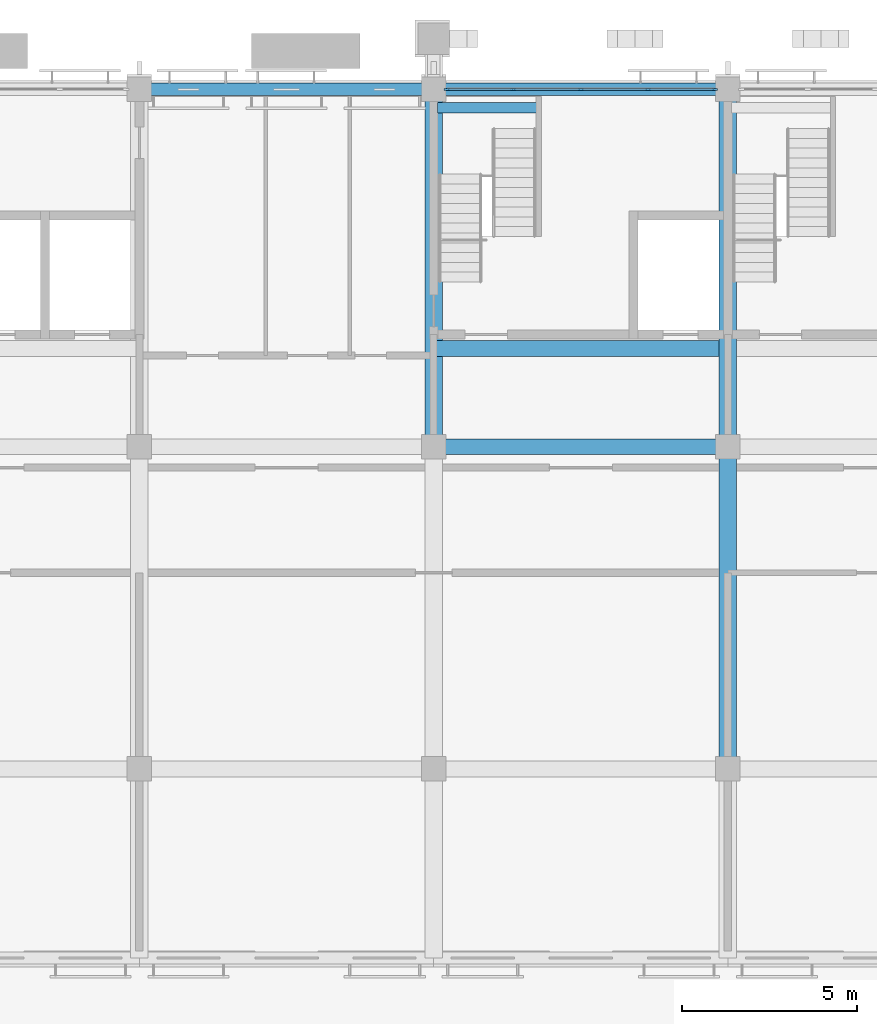
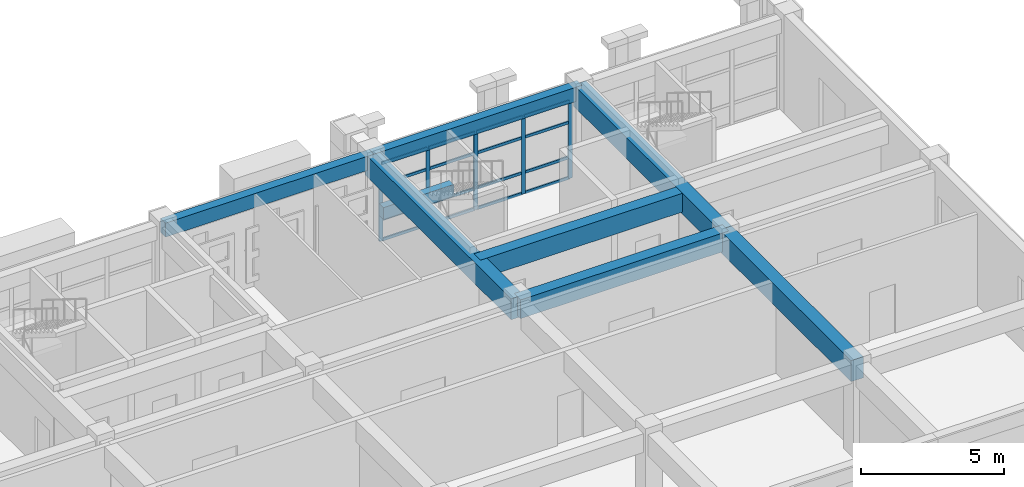
# One storey, part 29 of 99: 21 members, 8 beams, 1 element without a shape of its own.
"""IFC4 building model written with IfcOpenShell, lengths in metres."""

from ifc_helpers import new_model, si_unit, direction, frame, origin, origin_2d, place, context, subcontext, project, spatial, rectangle, extrude, material, layer, layer_set, material_profile, profile_set, type_object, element, aggregate, save


model = new_model("IFC4")

# Units and contexts
model_context = context("Model", 3, precision=1e-05, world=origin(), true_north=direction((0.0, 1.0)))
body_context = subcontext(model_context, "Body", "Model", "MODEL_VIEW")
ifc_project = project(units=[si_unit("LENGTHUNIT", "METRE"), si_unit("AREAUNIT", "SQUARE_METRE"), si_unit("VOLUMEUNIT", "CUBIC_METRE"), si_unit("PLANEANGLEUNIT", "RADIAN"), si_unit("MASSUNIT", "GRAM", prefix="KILO")], contexts=[model_context])

# Site, building, storey
site_placement = place(None, origin())
site = spatial("IfcSite", under=ifc_project, at=site_placement, CompositionType="ELEMENT")
building_placement = place(site_placement, origin())
building = spatial("IfcBuilding", under=site, at=building_placement, Name="Wasatch Bagh Community Centre", CompositionType="ELEMENT")
storey_placement = place(building_placement, frame((0.0, 0.0, 4.199951171875)))
storey = spatial("IfcBuildingStorey", under=building, at=storey_placement, Name="L01", CompositionType="ELEMENT", Elevation=4.199951171875)

# Beams
ifc_material_1 = material(Name="Concrete C35", Category="concrete")
ifc_material_profile_1 = material_profile(ifc_material_1, rectangle(XDim=0.300048828125, YDim=0.5, at=origin_2d()), Name="RC 300x500")
ifc_profile_set_1 = profile_set([ifc_material_profile_1], Name="Concrete C35")
beam_type_1 = type_object("IfcBeamType", Name="LW RC 300x500", PredefinedType="BEAM", material=ifc_profile_set_1)
beam_1_placement = place(storey_placement, frame((122.905029296875, 97.280029296875, 1.650146484375), z_axis=(1.0, 0.0, 0.0), x_axis=(0.0, 1.0, 0.0)))
element("IfcBeam", 1, at=beam_1_placement, inside=storey, type_object=beam_type_1, Name="LW.lbeam.L01.C3", PredefinedType="BEAM", context=body_context, shape_type="SweptSolid", body=[
    extrude(rectangle(XDim=0.300048828125, YDim=0.5, at=origin_2d()), origin(), (0.0, 0.0, 1.0), 2.840087890625),
])
ifc_material_profile_2 = material_profile(ifc_material_1, rectangle(XDim=0.35009765625, YDim=0.60009765625, at=origin_2d()), Name="RC 350x600")
ifc_profile_set_2 = profile_set([ifc_material_profile_2], Name="Concrete C35")
beam_type_2 = type_object("IfcBeamType", Name="LW RC 350x600", PredefinedType="BEAM", material=ifc_profile_set_2)
beam_2_placement = place(storey_placement, frame((114.39990234375, 97.800048828125, 3.6201171875), z_axis=(1.0, 0.0, 0.0), x_axis=(0.0, 1.0, 0.0)))
element("IfcBeam", 2, at=beam_2_placement, inside=storey, type_object=beam_type_2, Name="W7-W8N", PredefinedType="BEAM", context=body_context, shape_type="SweptSolid", body=[
    extrude(rectangle(XDim=0.35009765625, YDim=0.60009765625, at=origin_2d()), origin(), (0.0, 0.0, 1.0), 8.400146484375),
])
beam_3_placement = place(storey_placement, frame((122.800048828125, 97.800048828125, 3.6201171875), z_axis=(1.0, 0.0, 0.0), x_axis=(0.0, 1.0, 0.0)))
element("IfcBeam", 3, at=beam_3_placement, inside=storey, type_object=beam_type_2, Name="W8-W9N", PredefinedType="BEAM", context=body_context, shape_type="SweptSolid", body=[
    extrude(rectangle(XDim=0.35009765625, YDim=0.60009765625, at=origin_2d()), origin(), (0.0, 0.0, 1.0), 8.39990234375),
])
ifc_material_profile_3 = material_profile(ifc_material_1, rectangle(XDim=0.449951171875, YDim=0.800048828125, at=origin_2d()), Name="RC 450x800")
ifc_profile_set_3 = profile_set([ifc_material_profile_3], Name="Concrete C35")
beam_type_3 = type_object("IfcBeamType", Name="LW RC 450x800", PredefinedType="BEAM", material=ifc_profile_set_3)
beam_4_placement = place(storey_placement, frame((122.800048828125, 87.60009765625, 3.52001953125), z_axis=(1.0, 0.0, 0.0), x_axis=(0.0, 1.0, 0.0)))
element("IfcBeam", 4, at=beam_4_placement, inside=storey, type_object=beam_type_3, Name="W8-W9M", PredefinedType="BEAM", context=body_context, shape_type="SweptSolid", body=[
    extrude(rectangle(XDim=0.449951171875, YDim=0.800048828125, at=origin_2d()), origin(), (0.0, 0.0, 1.0), 8.39990234375),
])
beam_5_placement = place(storey_placement, frame((122.800048828125, 90.39990234375, 3.52001953125), z_axis=(1.0, 0.0, 0.0), x_axis=(0.0, 1.0, 0.0)))
element("IfcBeam", 5, at=beam_5_placement, inside=storey, type_object=beam_type_3, Name="C3-transfer", PredefinedType="BEAM", context=body_context, shape_type="SweptSolid", body=[
    extrude(rectangle(XDim=0.449951171875, YDim=0.800048828125, at=origin_2d()), origin(), (0.0, 0.0, 1.0), 8.14990234375),
])
ifc_material_profile_4 = material_profile(ifc_material_1, rectangle(XDim=0.5, YDim=0.89990234375, at=origin_2d()), Name="RC 500x900")
ifc_profile_set_4 = profile_set([ifc_material_profile_4], Name="Concrete C35")
beam_type_4 = type_object("IfcBeamType", Name="LW RC 500x900", PredefinedType="BEAM", material=ifc_profile_set_4)
beam_6_placement = place(storey_placement, frame((122.800048828125, 87.60009765625, 3.469970703125), z_axis=(0.0, 1.0, 0.0), x_axis=(-1.0, 0.0, 0.0)))
element("IfcBeam", 6, at=beam_6_placement, inside=storey, type_object=beam_type_4, Name="W8M-N", PredefinedType="BEAM", context=body_context, shape_type="SweptSolid", body=[
    extrude(rectangle(XDim=0.5, YDim=0.89990234375, at=origin_2d()), origin(), (0.0, 0.0, 1.0), 10.199951171875),
])
beam_7_placement = place(storey_placement, frame((131.199951171875, 78.39990234375, 3.469970703125), z_axis=(0.0, 1.0, 0.0), x_axis=(-1.0, 0.0, 0.0)))
element("IfcBeam", 7, at=beam_7_placement, inside=storey, type_object=beam_type_4, Name="W9S-M", PredefinedType="BEAM", context=body_context, shape_type="SweptSolid", body=[
    extrude(rectangle(XDim=0.5, YDim=0.89990234375, at=origin_2d()), origin(), (0.0, 0.0, 1.0), 9.2001953125),
])
beam_8_placement = place(storey_placement, frame((131.199951171875, 87.60009765625, 3.469970703125), z_axis=(0.0, 1.0, 0.0), x_axis=(-1.0, 0.0, 0.0)))
element("IfcBeam", 8, at=beam_8_placement, inside=storey, type_object=beam_type_4, Name="W9M-N", PredefinedType="BEAM", context=body_context, shape_type="SweptSolid", body=[
    extrude(rectangle(XDim=0.5, YDim=0.89990234375, at=origin_2d()), origin(), (0.0, 0.0, 1.0), 10.199951171875),
])

# Curtain wall, members
ifc_material_2 = material(Name="Aluminium curtain wall frame with low-iron glass", Category="aluminium")
ifc_layer = layer(ifc_material_2, 0.10009765625)
ifc_layer_set = layer_set([ifc_layer], Name="Aluminium curtain wall frame with low-iron glass")
curtain_wall_type = type_object("IfcCurtainWallType", Name="LW curtain wall 100", PredefinedType="NOTDEFINED", material=ifc_layer_set)
curtain_wall_placement = place(storey_placement, origin())
curtain_wall = element("IfcCurtainWall", 9, at=curtain_wall_placement, inside=storey, type_object=curtain_wall_type, Name="Curtain wall 01.06", PredefinedType="NOTDEFINED")
ifc_material_3 = material(Name="Aluminium extrusion", Category="aluminium")
ifc_material_profile_5 = material_profile(ifc_material_3, rectangle(XDim=0.06005859375, YDim=0.159912109375, at=origin_2d()), Name="AL 60x160")
ifc_profile_set_5 = profile_set([ifc_material_profile_5], Name="Aluminium extrusion")
member_type_1 = type_object("IfcMemberType", Name="LW curtain wall mullion 60x160", PredefinedType="MULLION", material=ifc_profile_set_5)
member_1_placement = place(storey_placement, frame((123.179931640625, 97.800048828125, 0.0), z_axis=(0.0, 0.0, 1.0), x_axis=(0.0, 1.0, 0.0)))
member_1 = element("IfcMember", 10, at=member_1_placement, type_object=member_type_1, Name="LW-CW1 mullion 1", PredefinedType="MULLION", context=body_context, shape_type="SweptSolid", body=[
    extrude(rectangle(XDim=0.06005859375, YDim=0.159912109375, at=origin_2d()), origin(), (0.0, 0.0, 1.0), 3.320068359375),
])
member_2_placement = place(storey_placement, frame((125.074951171875, 97.800048828125, 0.0), z_axis=(0.0, 0.0, 1.0), x_axis=(0.0, 1.0, 0.0)))
member_2 = element("IfcMember", 11, at=member_2_placement, type_object=member_type_1, Name="LW-CW1 mullion 2", PredefinedType="MULLION", context=body_context, shape_type="SweptSolid", body=[
    extrude(rectangle(XDim=0.06005859375, YDim=0.159912109375, at=origin_2d()), origin(), (0.0, 0.0, 1.0), 3.320068359375),
])
member_3_placement = place(storey_placement, frame((127.0, 97.800048828125, 0.0), z_axis=(0.0, 0.0, 1.0), x_axis=(0.0, 1.0, 0.0)))
member_3 = element("IfcMember", 12, at=member_3_placement, type_object=member_type_1, Name="LW-CW1 mullion 3", PredefinedType="MULLION", context=body_context, shape_type="SweptSolid", body=[
    extrude(rectangle(XDim=0.06005859375, YDim=0.159912109375, at=origin_2d()), origin(), (0.0, 0.0, 1.0), 3.320068359375),
])
member_4_placement = place(storey_placement, frame((128.925048828125, 97.800048828125, 0.0), z_axis=(0.0, 0.0, 1.0), x_axis=(0.0, 1.0, 0.0)))
member_4 = element("IfcMember", 13, at=member_4_placement, type_object=member_type_1, Name="LW-CW1 mullion 4", PredefinedType="MULLION", context=body_context, shape_type="SweptSolid", body=[
    extrude(rectangle(XDim=0.06005859375, YDim=0.159912109375, at=origin_2d()), origin(), (0.0, 0.0, 1.0), 3.320068359375),
])
member_5_placement = place(storey_placement, frame((130.820068359375, 97.800048828125, 0.0), z_axis=(0.0, 0.0, 1.0), x_axis=(0.0, 1.0, 0.0)))
member_5 = element("IfcMember", 14, at=member_5_placement, type_object=member_type_1, Name="LW-CW1 mullion 5", PredefinedType="MULLION", context=body_context, shape_type="SweptSolid", body=[
    extrude(rectangle(XDim=0.06005859375, YDim=0.159912109375, at=origin_2d()), origin(), (0.0, 0.0, 1.0), 3.320068359375),
])
ifc_material_profile_6 = material_profile(ifc_material_3, rectangle(XDim=0.06005859375, YDim=0.1201171875, at=origin_2d()), Name="AL 60x120")
ifc_profile_set_6 = profile_set([ifc_material_profile_6], Name="Aluminium extrusion")
member_type_2 = type_object("IfcMemberType", Name="LW curtain wall transom 60x120", PredefinedType="USERDEFINED", material=ifc_profile_set_6)
member_6_placement = place(storey_placement, frame((123.2099609375, 97.800048828125, 0.030029296875), z_axis=(1.0, 0.0, 0.0), x_axis=(0.0, 1.0, 0.0)))
member_6 = element("IfcMember", 15, at=member_6_placement, type_object=member_type_2, Name="LW-CW1 transom 1.1", ObjectType="TRANSOM", PredefinedType="USERDEFINED", context=body_context, shape_type="SweptSolid", body=[
    extrude(rectangle(XDim=0.06005859375, YDim=0.1201171875, at=origin_2d()), origin(), (0.0, 0.0, 1.0), 1.8349609375),
])
member_7_placement = place(storey_placement, frame((123.2099609375, 97.800048828125, 0.900146484375), z_axis=(1.0, 0.0, 0.0), x_axis=(0.0, 1.0, 0.0)))
member_7 = element("IfcMember", 16, at=member_7_placement, type_object=member_type_2, Name="LW-CW1 transom 1.2", ObjectType="TRANSOM", PredefinedType="USERDEFINED", context=body_context, shape_type="SweptSolid", body=[
    extrude(rectangle(XDim=0.06005859375, YDim=0.1201171875, at=origin_2d()), origin(), (0.0, 0.0, 1.0), 1.8349609375),
])
member_8_placement = place(storey_placement, frame((123.2099609375, 97.800048828125, 2.400146484375), z_axis=(1.0, 0.0, 0.0), x_axis=(0.0, 1.0, 0.0)))
member_8 = element("IfcMember", 17, at=member_8_placement, type_object=member_type_2, Name="LW-CW1 transom 1.3", ObjectType="TRANSOM", PredefinedType="USERDEFINED", context=body_context, shape_type="SweptSolid", body=[
    extrude(rectangle(XDim=0.06005859375, YDim=0.1201171875, at=origin_2d()), origin(), (0.0, 0.0, 1.0), 1.8349609375),
])
member_9_placement = place(storey_placement, frame((123.2099609375, 97.800048828125, 3.2900390625), z_axis=(1.0, 0.0, 0.0), x_axis=(0.0, 1.0, 0.0)))
member_9 = element("IfcMember", 18, at=member_9_placement, type_object=member_type_2, Name="LW-CW1 transom 1.4", ObjectType="TRANSOM", PredefinedType="USERDEFINED", context=body_context, shape_type="SweptSolid", body=[
    extrude(rectangle(XDim=0.06005859375, YDim=0.1201171875, at=origin_2d()), origin(), (0.0, 0.0, 1.0), 1.8349609375),
])
member_10_placement = place(storey_placement, frame((125.10498046875, 97.800048828125, 0.030029296875), z_axis=(1.0, 0.0, 0.0), x_axis=(0.0, 1.0, 0.0)))
member_10 = element("IfcMember", 19, at=member_10_placement, type_object=member_type_2, Name="LW-CW1 transom 2.1", ObjectType="TRANSOM", PredefinedType="USERDEFINED", context=body_context, shape_type="SweptSolid", body=[
    extrude(rectangle(XDim=0.06005859375, YDim=0.1201171875, at=origin_2d()), origin(), (0.0, 0.0, 1.0), 1.864990234375),
])
member_11_placement = place(storey_placement, frame((125.10498046875, 97.800048828125, 0.900146484375), z_axis=(1.0, 0.0, 0.0), x_axis=(0.0, 1.0, 0.0)))
member_11 = element("IfcMember", 20, at=member_11_placement, type_object=member_type_2, Name="LW-CW1 transom 2.2", ObjectType="TRANSOM", PredefinedType="USERDEFINED", context=body_context, shape_type="SweptSolid", body=[
    extrude(rectangle(XDim=0.06005859375, YDim=0.1201171875, at=origin_2d()), origin(), (0.0, 0.0, 1.0), 1.864990234375),
])
member_12_placement = place(storey_placement, frame((125.10498046875, 97.800048828125, 2.400146484375), z_axis=(1.0, 0.0, 0.0), x_axis=(0.0, 1.0, 0.0)))
member_12 = element("IfcMember", 21, at=member_12_placement, type_object=member_type_2, Name="LW-CW1 transom 2.3", ObjectType="TRANSOM", PredefinedType="USERDEFINED", context=body_context, shape_type="SweptSolid", body=[
    extrude(rectangle(XDim=0.06005859375, YDim=0.1201171875, at=origin_2d()), origin(), (0.0, 0.0, 1.0), 1.864990234375),
])
member_13_placement = place(storey_placement, frame((125.10498046875, 97.800048828125, 3.2900390625), z_axis=(1.0, 0.0, 0.0), x_axis=(0.0, 1.0, 0.0)))
member_13 = element("IfcMember", 22, at=member_13_placement, type_object=member_type_2, Name="LW-CW1 transom 2.4", ObjectType="TRANSOM", PredefinedType="USERDEFINED", context=body_context, shape_type="SweptSolid", body=[
    extrude(rectangle(XDim=0.06005859375, YDim=0.1201171875, at=origin_2d()), origin(), (0.0, 0.0, 1.0), 1.864990234375),
])
member_14_placement = place(storey_placement, frame((127.030029296875, 97.800048828125, 0.030029296875), z_axis=(1.0, 0.0, 0.0), x_axis=(0.0, 1.0, 0.0)))
member_14 = element("IfcMember", 23, at=member_14_placement, type_object=member_type_2, Name="LW-CW1 transom 3.1", ObjectType="TRANSOM", PredefinedType="USERDEFINED", context=body_context, shape_type="SweptSolid", body=[
    extrude(rectangle(XDim=0.06005859375, YDim=0.1201171875, at=origin_2d()), origin(), (0.0, 0.0, 1.0), 1.864990234375),
])
member_15_placement = place(storey_placement, frame((127.030029296875, 97.800048828125, 0.900146484375), z_axis=(1.0, 0.0, 0.0), x_axis=(0.0, 1.0, 0.0)))
member_15 = element("IfcMember", 24, at=member_15_placement, type_object=member_type_2, Name="LW-CW1 transom 3.2", ObjectType="TRANSOM", PredefinedType="USERDEFINED", context=body_context, shape_type="SweptSolid", body=[
    extrude(rectangle(XDim=0.06005859375, YDim=0.1201171875, at=origin_2d()), origin(), (0.0, 0.0, 1.0), 1.864990234375),
])
member_16_placement = place(storey_placement, frame((127.030029296875, 97.800048828125, 2.400146484375), z_axis=(1.0, 0.0, 0.0), x_axis=(0.0, 1.0, 0.0)))
member_16 = element("IfcMember", 25, at=member_16_placement, type_object=member_type_2, Name="LW-CW1 transom 3.3", ObjectType="TRANSOM", PredefinedType="USERDEFINED", context=body_context, shape_type="SweptSolid", body=[
    extrude(rectangle(XDim=0.06005859375, YDim=0.1201171875, at=origin_2d()), origin(), (0.0, 0.0, 1.0), 1.864990234375),
])
member_17_placement = place(storey_placement, frame((127.030029296875, 97.800048828125, 3.2900390625), z_axis=(1.0, 0.0, 0.0), x_axis=(0.0, 1.0, 0.0)))
member_17 = element("IfcMember", 26, at=member_17_placement, type_object=member_type_2, Name="LW-CW1 transom 3.4", ObjectType="TRANSOM", PredefinedType="USERDEFINED", context=body_context, shape_type="SweptSolid", body=[
    extrude(rectangle(XDim=0.06005859375, YDim=0.1201171875, at=origin_2d()), origin(), (0.0, 0.0, 1.0), 1.864990234375),
])
member_18_placement = place(storey_placement, frame((128.955078125, 97.800048828125, 0.030029296875), z_axis=(1.0, 0.0, 0.0), x_axis=(0.0, 1.0, 0.0)))
member_18 = element("IfcMember", 27, at=member_18_placement, type_object=member_type_2, Name="LW-CW1 transom 4.1", ObjectType="TRANSOM", PredefinedType="USERDEFINED", context=body_context, shape_type="SweptSolid", body=[
    extrude(rectangle(XDim=0.06005859375, YDim=0.1201171875, at=origin_2d()), origin(), (0.0, 0.0, 1.0), 1.8349609375),
])
member_19_placement = place(storey_placement, frame((128.955078125, 97.800048828125, 0.900146484375), z_axis=(1.0, 0.0, 0.0), x_axis=(0.0, 1.0, 0.0)))
member_19 = element("IfcMember", 28, at=member_19_placement, type_object=member_type_2, Name="LW-CW1 transom 4.2", ObjectType="TRANSOM", PredefinedType="USERDEFINED", context=body_context, shape_type="SweptSolid", body=[
    extrude(rectangle(XDim=0.06005859375, YDim=0.1201171875, at=origin_2d()), origin(), (0.0, 0.0, 1.0), 1.8349609375),
])
member_20_placement = place(storey_placement, frame((128.955078125, 97.800048828125, 2.400146484375), z_axis=(1.0, 0.0, 0.0), x_axis=(0.0, 1.0, 0.0)))
member_20 = element("IfcMember", 29, at=member_20_placement, type_object=member_type_2, Name="LW-CW1 transom 4.3", ObjectType="TRANSOM", PredefinedType="USERDEFINED", context=body_context, shape_type="SweptSolid", body=[
    extrude(rectangle(XDim=0.06005859375, YDim=0.1201171875, at=origin_2d()), origin(), (0.0, 0.0, 1.0), 1.8349609375),
])
member_21_placement = place(storey_placement, frame((128.955078125, 97.800048828125, 3.2900390625), z_axis=(1.0, 0.0, 0.0), x_axis=(0.0, 1.0, 0.0)))
member_21 = element("IfcMember", 30, at=member_21_placement, type_object=member_type_2, Name="LW-CW1 transom 4.4", ObjectType="TRANSOM", PredefinedType="USERDEFINED", context=body_context, shape_type="SweptSolid", body=[
    extrude(rectangle(XDim=0.06005859375, YDim=0.1201171875, at=origin_2d()), origin(), (0.0, 0.0, 1.0), 1.8349609375),
])
aggregate(curtain_wall, [member_1, member_2, member_3, member_4, member_5, member_6, member_7, member_8, member_9, member_10, member_11, member_12, member_13, member_14, member_15, member_16, member_17, member_18, member_19, member_20, member_21])

save(model, "model.ifc")
